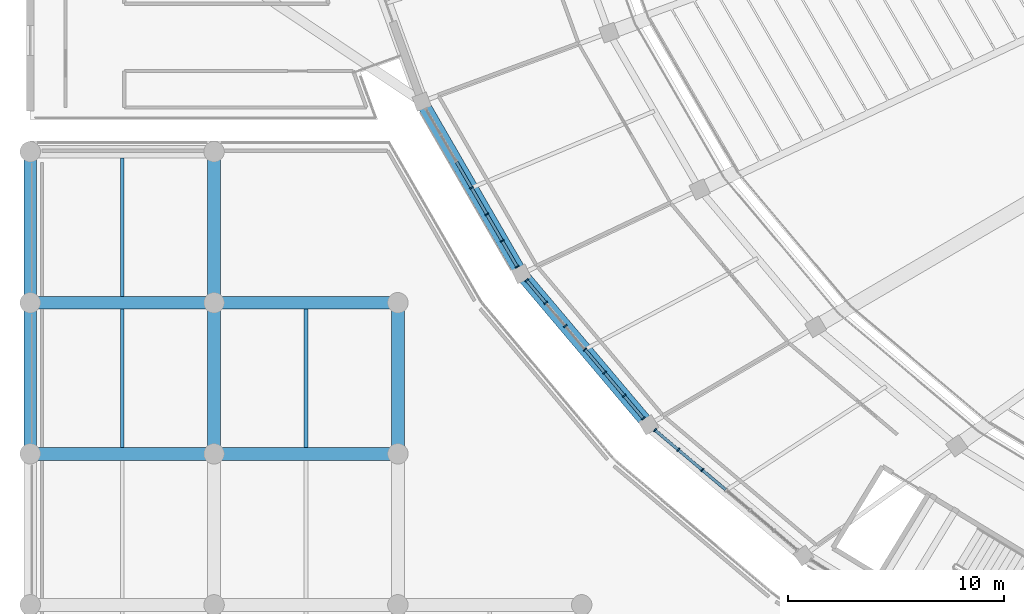
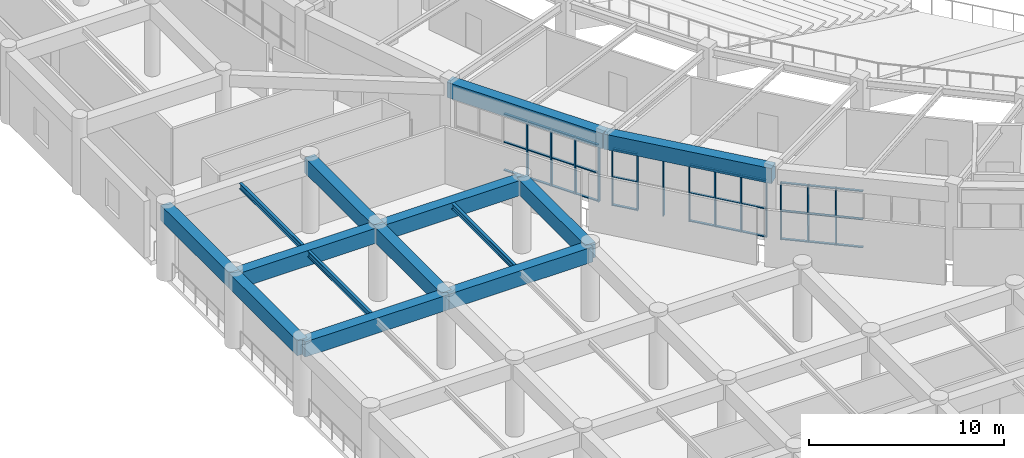
# One storey, part 17 of 137: 47 members, 14 beams, 3 elements without a shape of their own.
"""IFC4 building model written with IfcOpenShell, lengths in metres."""

from ifc_helpers import new_model, si_unit, direction, frame, origin, origin_2d, place, context, subcontext, project, spatial, rectangle, i_section, extrude, material, layer, layer_set, material_profile, profile_set, type_object, element, aggregate, save


model = new_model("IFC4")

# Units and contexts
model_context = context("Model", 3, precision=1e-05, world=origin(), true_north=direction((0.0, 1.0)))
body_context = subcontext(model_context, "Body", "Model", "MODEL_VIEW")
ifc_project = project(units=[si_unit("LENGTHUNIT", "METRE"), si_unit("AREAUNIT", "SQUARE_METRE"), si_unit("VOLUMEUNIT", "CUBIC_METRE"), si_unit("PLANEANGLEUNIT", "RADIAN"), si_unit("MASSUNIT", "GRAM", prefix="KILO")], contexts=[model_context])

# Site, building, storey
site_placement = place(None, origin())
site = spatial("IfcSite", under=ifc_project, at=site_placement, CompositionType="ELEMENT")
building_placement = place(site_placement, origin())
building = spatial("IfcBuilding", under=site, at=building_placement, Name="Mphavela Belvedere Stadium", CompositionType="ELEMENT")
storey_placement = place(building_placement, frame((0.0, 0.0, 19.199951171875)))
storey = spatial("IfcBuildingStorey", under=building, at=storey_placement, Name="L04", CompositionType="ELEMENT", Elevation=19.199951171875)

# Beams
ifc_material_1 = material(Name="Concrete C40/50", Category="concrete")
ifc_material_profile_1 = material_profile(ifc_material_1, rectangle(XDim=0.60009765625, YDim=0.949951171875, at=origin_2d()), Name="RC 600x950")
ifc_profile_set_1 = profile_set([ifc_material_profile_1], Name="Concrete C40/50")
beam_type_1 = type_object("IfcBeamType", Name="BM-ENTABLATURE-950", PredefinedType="SPANDREL", material=ifc_profile_set_1)
beam_1_placement = place(storey_placement, frame((18.143798828125, 51.317626953125, 4.074951171875), z_axis=(0.500565297122, -0.865698783248, 0.0), x_axis=(0.865698783248, 0.500565297122, 0.0)))
element("IfcBeam", 1, at=beam_1_placement, inside=storey, type_object=beam_type_1, Name="Circumferential girder L04 R4-28", PredefinedType="SPANDREL", context=body_context, shape_type="SweptSolid", body=[
    extrude(rectangle(XDim=0.60009765625, YDim=0.949951171875, at=origin_2d()), origin(), (0.0, 0.0, 1.0), 9.217041015625),
])
beam_2_placement = place(storey_placement, frame((22.757568359375, 43.33837890625, 4.074951171875), z_axis=(0.645164552218, -0.764043650952, 0.0), x_axis=(0.764043650952, 0.645164552218, 0.0)))
element("IfcBeam", 2, at=beam_2_placement, inside=storey, type_object=beam_type_1, Name="Circumferential girder L04 R4-29", PredefinedType="SPANDREL", context=body_context, shape_type="SweptSolid", body=[
    extrude(rectangle(XDim=0.60009765625, YDim=0.949951171875, at=origin_2d()), origin(), (0.0, 0.0, 1.0), 9.151123046875),
])
beam_3_placement = place(storey_placement, frame((0.0, 35.0, 4.06494140625), z_axis=(1.0, 0.0, 0.0), x_axis=(0.0, 1.0, 0.0)))
element("IfcBeam", 3, at=beam_3_placement, inside=storey, type_object=beam_type_1, Name="South Axial Triumphal Peristyle Portico entablature beam X L04 1-6", PredefinedType="SPANDREL", context=body_context, shape_type="SweptSolid", body=[
    extrude(rectangle(XDim=0.60009765625, YDim=0.949951171875, at=origin_2d()), origin(), (0.0, 0.0, 1.0), 8.51904296875),
])
beam_4_placement = place(storey_placement, frame((0.0, 35.0, 4.06494140625), z_axis=(0.0, 1.0, 0.0), x_axis=(-1.0, 0.0, 0.0)))
element("IfcBeam", 4, at=beam_4_placement, inside=storey, type_object=beam_type_1, Name="South Axial Triumphal Peristyle Portico entablature beam Y L04 1-6", PredefinedType="SPANDREL", context=body_context, shape_type="SweptSolid", body=[
    extrude(rectangle(XDim=0.60009765625, YDim=0.949951171875, at=origin_2d()), origin(), (0.0, 0.0, 1.0), 7.0),
])
beam_5_placement = place(storey_placement, frame((0.0, 42.0, 4.06494140625), z_axis=(1.0, 0.0, 0.0), x_axis=(0.0, 1.0, 0.0)))
element("IfcBeam", 5, at=beam_5_placement, inside=storey, type_object=beam_type_1, Name="South Axial Triumphal Peristyle Portico entablature beam X L04 1-7", PredefinedType="SPANDREL", context=body_context, shape_type="SweptSolid", body=[
    extrude(rectangle(XDim=0.60009765625, YDim=0.949951171875, at=origin_2d()), origin(), (0.0, 0.0, 1.0), 8.51904296875),
])
beam_6_placement = place(storey_placement, frame((0.0, 42.0, 4.06494140625), z_axis=(0.0, 1.0, 0.0), x_axis=(-1.0, 0.0, 0.0)))
element("IfcBeam", 6, at=beam_6_placement, inside=storey, type_object=beam_type_1, Name="South Axial Triumphal Peristyle Portico entablature beam Y L04 1-7", PredefinedType="SPANDREL", context=body_context, shape_type="SweptSolid", body=[
    extrude(rectangle(XDim=0.60009765625, YDim=0.949951171875, at=origin_2d()), origin(), (0.0, 0.0, 1.0), 7.0),
])
beam_7_placement = place(storey_placement, frame((8.51904296875, 35.0, 4.06494140625), z_axis=(1.0, 0.0, 0.0), x_axis=(0.0, 1.0, 0.0)))
element("IfcBeam", 7, at=beam_7_placement, inside=storey, type_object=beam_type_1, Name="South Axial Triumphal Peristyle Portico entablature beam X L04 2-6", PredefinedType="SPANDREL", context=body_context, shape_type="SweptSolid", body=[
    extrude(rectangle(XDim=0.60009765625, YDim=0.949951171875, at=origin_2d()), origin(), (0.0, 0.0, 1.0), 8.51806640625),
])
beam_8_placement = place(storey_placement, frame((8.51904296875, 35.0, 4.06494140625), z_axis=(0.0, 1.0, 0.0), x_axis=(-1.0, 0.0, 0.0)))
element("IfcBeam", 8, at=beam_8_placement, inside=storey, type_object=beam_type_1, Name="South Axial Triumphal Peristyle Portico entablature beam Y L04 2-6", PredefinedType="SPANDREL", context=body_context, shape_type="SweptSolid", body=[
    extrude(rectangle(XDim=0.60009765625, YDim=0.949951171875, at=origin_2d()), origin(), (0.0, 0.0, 1.0), 7.0),
])
beam_9_placement = place(storey_placement, frame((8.51904296875, 42.0, 4.06494140625), z_axis=(1.0, 0.0, 0.0), x_axis=(0.0, 1.0, 0.0)))
element("IfcBeam", 9, at=beam_9_placement, inside=storey, type_object=beam_type_1, Name="South Axial Triumphal Peristyle Portico entablature beam X L04 2-7", PredefinedType="SPANDREL", context=body_context, shape_type="SweptSolid", body=[
    extrude(rectangle(XDim=0.60009765625, YDim=0.949951171875, at=origin_2d()), origin(), (0.0, 0.0, 1.0), 8.51806640625),
])
for number, where, z_axis, x_axis, name in (
    (10, (8.51904296875, 42.0, 4.06494140625), (0.0, 1.0, 0.0), (-1.0, 0.0, 0.0), "South Axial Triumphal Peristyle Portico entablature beam Y L04 2-7"),
    (11, (17.037109375, 35.0, 4.06494140625), (0.0, 1.0, 0.0), (-1.0, 0.0, 0.0), "South Axial Triumphal Peristyle Portico entablature beam Y L04 3-6"),
):
    element("IfcBeam", number, at=place(storey_placement, frame(where, z_axis=z_axis, x_axis=x_axis)), inside=storey, type_object=beam_type_1, Name=name, PredefinedType="SPANDREL", context=body_context, shape_type="SweptSolid", body=[
        extrude(rectangle(XDim=0.60009765625, YDim=0.949951171875, at=origin_2d()), origin(), (0.0, 0.0, 1.0), 7.0),
    ])
ifc_material_2 = material(Name="Steel S355", Category="steel")
ifc_material_profile_2 = material_profile(ifc_material_2, i_section(OverallWidth=0.169921875, OverallDepth=0.360107421875, WebThickness=0.008056640625, FlangeThickness=0.0126953125, at=origin_2d()), Name="IPE 360")
ifc_profile_set_2 = profile_set([ifc_material_profile_2], Name="Steel S355")
beam_type_2 = type_object("IfcBeamType", Name="BM-JOIST-IPE360", PredefinedType="JOIST", material=ifc_profile_set_2)
for number, where, z_axis, x_axis, name in (
    (12, (4.259521484375, 35.300048828125, 4.360107421875), (0.0, 1.0, 0.0), (-1.0, 0.0, 0.0), "South Axial Triumphal Peristyle Portico secondary joist L04 1-6"),
    (13, (4.259521484375, 42.300048828125, 4.360107421875), (0.0, 1.0, 0.0), (-1.0, 0.0, 0.0), "South Axial Triumphal Peristyle Portico secondary joist L04 1-7"),
    (14, (12.778076171875, 35.300048828125, 4.360107421875), (0.0, 1.0, 0.0), (-1.0, 0.0, 0.0), "South Axial Triumphal Peristyle Portico secondary joist L04 2-6"),
):
    element("IfcBeam", number, at=place(storey_placement, frame(where, z_axis=z_axis, x_axis=x_axis)), inside=storey, type_object=beam_type_2, Name=name, PredefinedType="JOIST", context=body_context, shape_type="SweptSolid", body=[
        extrude(i_section(OverallWidth=0.169921875, OverallDepth=0.360107421875, WebThickness=0.008056640625, FlangeThickness=0.0126953125, at=origin_2d()), origin(), (0.0, 0.0, 1.0), 6.39990234375),
    ])

# Curtain wall, members
ifc_material_3 = material(Name="Anodised bronze unitised curtain wall framing")
ifc_layer_1 = layer(ifc_material_3, 0.18994140625)
ifc_layer_set_1 = layer_set([ifc_layer_1], Name="Anodised bronze unitised curtain wall framing")
curtain_wall_type_1 = type_object("IfcCurtainWallType", Name="CW-UNIT-03", PredefinedType="USERDEFINED", material=ifc_layer_set_1)
curtain_wall_1_placement = place(storey_placement, origin())
curtain_wall_1 = element("IfcCurtainWall", 15, at=curtain_wall_1_placement, inside=storey, type_object=curtain_wall_type_1, Name="Belvedere colonnade curtain wall L04-28", ObjectType="UNITISED CURTAIN WALL", PredefinedType="USERDEFINED")
ifc_material_4 = material(Name="Anodised bronze extruded aluminium", Category="aluminium")
ifc_material_profile_3 = material_profile(ifc_material_4, rectangle(XDim=0.179931640625, YDim=0.06494140625, at=origin_2d()), Name="CW-MUL 180x65")
ifc_profile_set_3 = profile_set([ifc_material_profile_3], Name="Anodised bronze extruded aluminium")
member_type_1 = type_object("IfcMemberType", Name="CWM-180x65", PredefinedType="MULLION", material=ifc_profile_set_3)
member_1_placement = place(storey_placement, frame((20.45068359375, 47.328125, 0.0), z_axis=(0.0, 0.0, 1.0), x_axis=(0.865704159606, 0.500555998906, 0.0)))
member_1 = element("IfcMember", 16, at=member_1_placement, type_object=member_type_1, Name="CW-03 mullion 4", PredefinedType="MULLION", context=body_context, shape_type="SweptSolid", body=[
    extrude(rectangle(XDim=0.179931640625, YDim=0.06494140625, at=origin_2d()), origin(), (0.0, 0.0, 1.0), 3.570068359375),
])
member_2_placement = place(storey_placement, frame((21.16162109375, 46.0986328125, 0.0), z_axis=(0.0, 0.0, 1.0), x_axis=(0.865704159606, 0.500555998906, 0.0)))
member_2 = element("IfcMember", 17, at=member_2_placement, type_object=member_type_1, Name="CW-03 mullion 5", PredefinedType="MULLION", context=body_context, shape_type="SweptSolid", body=[
    extrude(rectangle(XDim=0.179931640625, YDim=0.06494140625, at=origin_2d()), origin(), (0.0, 0.0, 1.0), 3.570068359375),
])
member_3_placement = place(storey_placement, frame((21.872314453125, 44.869140625, 0.0), z_axis=(0.0, 0.0, 1.0), x_axis=(0.865704159606, 0.500555998906, 0.0)))
member_3 = element("IfcMember", 18, at=member_3_placement, type_object=member_type_1, Name="CW-03 mullion 6", PredefinedType="MULLION", context=body_context, shape_type="SweptSolid", body=[
    extrude(rectangle(XDim=0.179931640625, YDim=0.06494140625, at=origin_2d()), origin(), (0.0, 0.0, 1.0), 3.570068359375),
])
member_4_placement = place(storey_placement, frame((22.567138671875, 43.66796875, 0.0), z_axis=(0.0, 0.0, 1.0), x_axis=(0.865704159606, 0.500555998906, 0.0)))
member_4 = element("IfcMember", 19, at=member_4_placement, type_object=member_type_1, Name="CW-03 mullion 7", PredefinedType="MULLION", context=body_context, shape_type="SweptSolid", body=[
    extrude(rectangle(XDim=0.179931640625, YDim=0.06494140625, at=origin_2d()), origin(), (0.0, 0.0, 1.0), 3.570068359375),
])

ifc_material_5 = material(Name="Anodised bronze unitised curtain wall framing")
ifc_layer_2 = layer(ifc_material_5, 0.195068359375)
ifc_layer_set_2 = layer_set([ifc_layer_2], Name="Anodised bronze unitised curtain wall framing")
curtain_wall_type_2 = type_object("IfcCurtainWallType", Name="CW-UNIT-04", PredefinedType="USERDEFINED", material=ifc_layer_set_2)
curtain_wall_2_placement = place(storey_placement, origin())
curtain_wall_2 = element("IfcCurtainWall", 20, at=curtain_wall_2_placement, inside=storey, type_object=curtain_wall_type_2, Name="Belvedere colonnade curtain wall L04-29", ObjectType="UNITISED CURTAIN WALL", PredefinedType="USERDEFINED")
member_5_placement = place(storey_placement, frame((23.0029296875, 43.0478515625, 0.0), z_axis=(0.0, 0.0, 1.0), x_axis=(0.764034579723, 0.645175294774, 0.0)))
member_5 = element("IfcMember", 21, at=member_5_placement, type_object=member_type_1, Name="CW-04 mullion 1", PredefinedType="MULLION", context=body_context, shape_type="SweptSolid", body=[
    extrude(rectangle(XDim=0.179931640625, YDim=0.06494140625, at=origin_2d()), origin(), (0.0, 0.0, 1.0), 3.570068359375),
])
member_6_placement = place(storey_placement, frame((23.89111328125, 41.995849609375, 0.0), z_axis=(0.0, 0.0, 1.0), x_axis=(0.764034579723, 0.645175294774, 0.0)))
member_6 = element("IfcMember", 22, at=member_6_placement, type_object=member_type_1, Name="CW-04 mullion 2", PredefinedType="MULLION", context=body_context, shape_type="SweptSolid", body=[
    extrude(rectangle(XDim=0.179931640625, YDim=0.06494140625, at=origin_2d()), origin(), (0.0, 0.0, 1.0), 3.570068359375),
])
member_7_placement = place(storey_placement, frame((24.80029296875, 40.919189453125, 0.0), z_axis=(0.0, 0.0, 1.0), x_axis=(0.764034579723, 0.645175294774, 0.0)))
member_7 = element("IfcMember", 23, at=member_7_placement, type_object=member_type_1, Name="CW-04 mullion 3", PredefinedType="MULLION", context=body_context, shape_type="SweptSolid", body=[
    extrude(rectangle(XDim=0.179931640625, YDim=0.06494140625, at=origin_2d()), origin(), (0.0, 0.0, 1.0), 3.570068359375),
])
member_8_placement = place(storey_placement, frame((25.709716796875, 39.842529296875, 0.0), z_axis=(0.0, 0.0, 1.0), x_axis=(0.764034579723, 0.645175294774, 0.0)))
member_8 = element("IfcMember", 24, at=member_8_placement, type_object=member_type_1, Name="CW-04 mullion 4", PredefinedType="MULLION", context=body_context, shape_type="SweptSolid", body=[
    extrude(rectangle(XDim=0.179931640625, YDim=0.06494140625, at=origin_2d()), origin(), (0.0, 0.0, 1.0), 3.570068359375),
])
member_9_placement = place(storey_placement, frame((26.618896484375, 38.765869140625, 0.0), z_axis=(0.0, 0.0, 1.0), x_axis=(0.764034579723, 0.645175294774, 0.0)))
member_9 = element("IfcMember", 25, at=member_9_placement, type_object=member_type_1, Name="CW-04 mullion 5", PredefinedType="MULLION", context=body_context, shape_type="SweptSolid", body=[
    extrude(rectangle(XDim=0.179931640625, YDim=0.06494140625, at=origin_2d()), origin(), (0.0, 0.0, 1.0), 3.570068359375),
])
member_10_placement = place(storey_placement, frame((27.528076171875, 37.689208984375, 0.0), z_axis=(0.0, 0.0, 1.0), x_axis=(0.764034579723, 0.645175294774, 0.0)))
member_10 = element("IfcMember", 26, at=member_10_placement, type_object=member_type_1, Name="CW-04 mullion 6", PredefinedType="MULLION", context=body_context, shape_type="SweptSolid", body=[
    extrude(rectangle(XDim=0.179931640625, YDim=0.06494140625, at=origin_2d()), origin(), (0.0, 0.0, 1.0), 3.570068359375),
])
member_11_placement = place(storey_placement, frame((28.416259765625, 36.63720703125, 0.0), z_axis=(0.0, 0.0, 1.0), x_axis=(0.764034579723, 0.645175294774, 0.0)))
member_11 = element("IfcMember", 27, at=member_11_placement, type_object=member_type_1, Name="CW-04 mullion 7", PredefinedType="MULLION", context=body_context, shape_type="SweptSolid", body=[
    extrude(rectangle(XDim=0.179931640625, YDim=0.06494140625, at=origin_2d()), origin(), (0.0, 0.0, 1.0), 3.570068359375),
])

ifc_material_6 = material(Name="Anodised bronze unitised curtain wall framing")
ifc_layer_3 = layer(ifc_material_6, 0.199951171875)
ifc_layer_set_3 = layer_set([ifc_layer_3], Name="Anodised bronze unitised curtain wall framing")
curtain_wall_type_3 = type_object("IfcCurtainWallType", Name="CW-UNIT-05", PredefinedType="USERDEFINED", material=ifc_layer_set_3)
curtain_wall_3_placement = place(storey_placement, origin())
curtain_wall_3 = element("IfcCurtainWall", 28, at=curtain_wall_3_placement, inside=storey, type_object=curtain_wall_type_3, Name="Belvedere colonnade curtain wall L04-30", ObjectType="UNITISED CURTAIN WALL", PredefinedType="USERDEFINED")
member_12_placement = place(storey_placement, frame((28.95263671875, 36.10107421875, 0.0), z_axis=(0.0, 0.0, 1.0), x_axis=(0.644916038089, 0.764253429051, 0.0)))
member_12 = element("IfcMember", 29, at=member_12_placement, type_object=member_type_1, Name="CW-05 mullion 1", PredefinedType="MULLION", context=body_context, shape_type="SweptSolid", body=[
    extrude(rectangle(XDim=0.179931640625, YDim=0.06494140625, at=origin_2d()), origin(), (0.0, 0.0, 1.0), 3.570068359375),
])
member_13_placement = place(storey_placement, frame((30.0361328125, 35.186767578125, 0.0), z_axis=(0.0, 0.0, 1.0), x_axis=(0.644916038089, 0.764253429051, 0.0)))
member_13 = element("IfcMember", 30, at=member_13_placement, type_object=member_type_1, Name="CW-05 mullion 2", PredefinedType="MULLION", context=body_context, shape_type="SweptSolid", body=[
    extrude(rectangle(XDim=0.179931640625, YDim=0.06494140625, at=origin_2d()), origin(), (0.0, 0.0, 1.0), 3.570068359375),
])
member_14_placement = place(storey_placement, frame((31.14453125, 34.25146484375, 0.0), z_axis=(0.0, 0.0, 1.0), x_axis=(0.644916038089, 0.764253429051, 0.0)))
member_14 = element("IfcMember", 31, at=member_14_placement, type_object=member_type_1, Name="CW-05 mullion 3", PredefinedType="MULLION", context=body_context, shape_type="SweptSolid", body=[
    extrude(rectangle(XDim=0.179931640625, YDim=0.06494140625, at=origin_2d()), origin(), (0.0, 0.0, 1.0), 3.570068359375),
])

# Member
ifc_material_7 = material(Name="Anodised bronze extruded aluminium", Category="aluminium")
ifc_material_profile_4 = material_profile(ifc_material_7, rectangle(XDim=0.139892578125, YDim=0.06005859375, at=origin_2d()), Name="CW-TRN 140x60")
ifc_profile_set_4 = profile_set([ifc_material_profile_4], Name="Anodised bronze extruded aluminium")
member_type_2 = type_object("IfcMemberType", Name="CWT-140x60", PredefinedType="USERDEFINED", material=ifc_profile_set_4)
member_15_placement = place(storey_placement, frame((19.756103515625, 48.529296875, 0.030029296875), z_axis=(0.50051771898, -0.865726292189, 0.0), x_axis=(0.865726292189, 0.50051771898, 0.0)))
member_15 = element("IfcMember", 32, at=member_15_placement, type_object=member_type_2, Name="CW-03 transom 3.1", ObjectType="TRANSOM", PredefinedType="USERDEFINED", context=body_context, shape_type="SweptSolid", body=[
    extrude(rectangle(XDim=0.139892578125, YDim=0.06005859375, at=origin_2d()), origin(), (0.0, 0.0, 1.0), 1.35498046875),
])

member_16_placement = place(storey_placement, frame((19.756103515625, 48.529296875, 1.78515625), z_axis=(0.50051771898, -0.865726292189, 0.0), x_axis=(0.865726292189, 0.50051771898, 0.0)))
member_16 = element("IfcMember", 33, at=member_16_placement, type_object=member_type_2, Name="CW-03 transom 3.2", ObjectType="TRANSOM", PredefinedType="USERDEFINED", context=body_context, shape_type="SweptSolid", body=[
    extrude(rectangle(XDim=0.139892578125, YDim=0.06005859375, at=origin_2d()), origin(), (0.0, 0.0, 1.0), 1.35498046875),
])

member_17_placement = place(storey_placement, frame((19.756103515625, 48.529296875, 3.5400390625), z_axis=(0.50051771898, -0.865726292189, 0.0), x_axis=(0.865726292189, 0.50051771898, 0.0)))
member_17 = element("IfcMember", 34, at=member_17_placement, type_object=member_type_2, Name="CW-03 transom 3.3", ObjectType="TRANSOM", PredefinedType="USERDEFINED", context=body_context, shape_type="SweptSolid", body=[
    extrude(rectangle(XDim=0.139892578125, YDim=0.06005859375, at=origin_2d()), origin(), (0.0, 0.0, 1.0), 1.35498046875),
])

member_18_placement = place(storey_placement, frame((20.467041015625, 47.300048828125, 0.030029296875), z_axis=(0.500439658564, -0.865771417948, 0.0), x_axis=(0.865771417948, 0.500439658564, 0.0)))
member_18 = element("IfcMember", 35, at=member_18_placement, type_object=member_type_2, Name="CW-03 transom 4.1", ObjectType="TRANSOM", PredefinedType="USERDEFINED", context=body_context, shape_type="SweptSolid", body=[
    extrude(rectangle(XDim=0.139892578125, YDim=0.06005859375, at=origin_2d()), origin(), (0.0, 0.0, 1.0), 1.355224609375),
])

member_19_placement = place(storey_placement, frame((20.467041015625, 47.300048828125, 1.78515625), z_axis=(0.500439658564, -0.865771417948, 0.0), x_axis=(0.865771417948, 0.500439658564, 0.0)))
member_19 = element("IfcMember", 36, at=member_19_placement, type_object=member_type_2, Name="CW-03 transom 4.2", ObjectType="TRANSOM", PredefinedType="USERDEFINED", context=body_context, shape_type="SweptSolid", body=[
    extrude(rectangle(XDim=0.139892578125, YDim=0.06005859375, at=origin_2d()), origin(), (0.0, 0.0, 1.0), 1.355224609375),
])

member_20_placement = place(storey_placement, frame((20.467041015625, 47.300048828125, 3.5400390625), z_axis=(0.500439658564, -0.865771417948, 0.0), x_axis=(0.865771417948, 0.500439658564, 0.0)))
member_20 = element("IfcMember", 37, at=member_20_placement, type_object=member_type_2, Name="CW-03 transom 4.3", ObjectType="TRANSOM", PredefinedType="USERDEFINED", context=body_context, shape_type="SweptSolid", body=[
    extrude(rectangle(XDim=0.139892578125, YDim=0.06005859375, at=origin_2d()), origin(), (0.0, 0.0, 1.0), 1.355224609375),
])

member_21_placement = place(storey_placement, frame((21.177734375, 46.070556640625, 0.030029296875), z_axis=(0.500652736362, -0.865648218143, 0.0), x_axis=(0.865648218143, 0.500652736362, 0.0)))
member_21 = element("IfcMember", 38, at=member_21_placement, type_object=member_type_2, Name="CW-03 transom 5.1", ObjectType="TRANSOM", PredefinedType="USERDEFINED", context=body_context, shape_type="SweptSolid", body=[
    extrude(rectangle(XDim=0.139892578125, YDim=0.06005859375, at=origin_2d()), origin(), (0.0, 0.0, 1.0), 1.355224609375),
])

member_22_placement = place(storey_placement, frame((21.177734375, 46.070556640625, 1.78515625), z_axis=(0.500652736362, -0.865648218143, 0.0), x_axis=(0.865648218143, 0.500652736362, 0.0)))
member_22 = element("IfcMember", 39, at=member_22_placement, type_object=member_type_2, Name="CW-03 transom 5.2", ObjectType="TRANSOM", PredefinedType="USERDEFINED", context=body_context, shape_type="SweptSolid", body=[
    extrude(rectangle(XDim=0.139892578125, YDim=0.06005859375, at=origin_2d()), origin(), (0.0, 0.0, 1.0), 1.355224609375),
])

member_23_placement = place(storey_placement, frame((21.177734375, 46.070556640625, 3.5400390625), z_axis=(0.500652736362, -0.865648218143, 0.0), x_axis=(0.865648218143, 0.500652736362, 0.0)))
member_23 = element("IfcMember", 40, at=member_23_placement, type_object=member_type_2, Name="CW-03 transom 5.3", ObjectType="TRANSOM", PredefinedType="USERDEFINED", context=body_context, shape_type="SweptSolid", body=[
    extrude(rectangle(XDim=0.139892578125, YDim=0.06005859375, at=origin_2d()), origin(), (0.0, 0.0, 1.0), 1.355224609375),
])

member_24_placement = place(storey_placement, frame((21.888671875, 44.841064453125, 0.030029296875), z_axis=(0.500585088296, -0.865687339272, 0.0), x_axis=(0.865687339272, 0.500585088296, 0.0)))
member_24 = element("IfcMember", 41, at=member_24_placement, type_object=member_type_2, Name="CW-03 transom 6.1", ObjectType="TRANSOM", PredefinedType="USERDEFINED", context=body_context, shape_type="SweptSolid", body=[
    extrude(rectangle(XDim=0.139892578125, YDim=0.06005859375, at=origin_2d()), origin(), (0.0, 0.0, 1.0), 1.32275390625),
])

member_25_placement = place(storey_placement, frame((21.888671875, 44.841064453125, 1.78515625), z_axis=(0.500585088296, -0.865687339272, 0.0), x_axis=(0.865687339272, 0.500585088296, 0.0)))
member_25 = element("IfcMember", 42, at=member_25_placement, type_object=member_type_2, Name="CW-03 transom 6.2", ObjectType="TRANSOM", PredefinedType="USERDEFINED", context=body_context, shape_type="SweptSolid", body=[
    extrude(rectangle(XDim=0.139892578125, YDim=0.06005859375, at=origin_2d()), origin(), (0.0, 0.0, 1.0), 1.32275390625),
])

member_26_placement = place(storey_placement, frame((21.888671875, 44.841064453125, 3.5400390625), z_axis=(0.500585088296, -0.865687339272, 0.0), x_axis=(0.865687339272, 0.500585088296, 0.0)))
member_26 = element("IfcMember", 43, at=member_26_placement, type_object=member_type_2, Name="CW-03 transom 6.3", ObjectType="TRANSOM", PredefinedType="USERDEFINED", context=body_context, shape_type="SweptSolid", body=[
    extrude(rectangle(XDim=0.139892578125, YDim=0.06005859375, at=origin_2d()), origin(), (0.0, 0.0, 1.0), 1.32275390625),
])

aggregate(curtain_wall_1, [member_1, member_2, member_3, member_4, member_15, member_16, member_17, member_18, member_19, member_20, member_21, member_22, member_23, member_24, member_25, member_26])

member_27_placement = place(storey_placement, frame((23.02392578125, 43.02294921875, 0.030029296875), z_axis=(0.645132526384, -0.764070692673, 0.0), x_axis=(0.764070692673, 0.645132526384, 0.0)))
member_27 = element("IfcMember", 44, at=member_27_placement, type_object=member_type_2, Name="CW-04 transom 1.1", ObjectType="TRANSOM", PredefinedType="USERDEFINED", context=body_context, shape_type="SweptSolid", body=[
    extrude(rectangle(XDim=0.139892578125, YDim=0.06005859375, at=origin_2d()), origin(), (0.0, 0.0, 1.0), 1.311767578125),
])

member_28_placement = place(storey_placement, frame((23.02392578125, 43.02294921875, 1.78515625), z_axis=(0.645132526384, -0.764070692673, 0.0), x_axis=(0.764070692673, 0.645132526384, 0.0)))
member_28 = element("IfcMember", 45, at=member_28_placement, type_object=member_type_2, Name="CW-04 transom 1.2", ObjectType="TRANSOM", PredefinedType="USERDEFINED", context=body_context, shape_type="SweptSolid", body=[
    extrude(rectangle(XDim=0.139892578125, YDim=0.06005859375, at=origin_2d()), origin(), (0.0, 0.0, 1.0), 1.311767578125),
])

member_29_placement = place(storey_placement, frame((23.02392578125, 43.02294921875, 3.5400390625), z_axis=(0.645132526384, -0.764070692673, 0.0), x_axis=(0.764070692673, 0.645132526384, 0.0)))
member_29 = element("IfcMember", 46, at=member_29_placement, type_object=member_type_2, Name="CW-04 transom 1.3", ObjectType="TRANSOM", PredefinedType="USERDEFINED", context=body_context, shape_type="SweptSolid", body=[
    extrude(rectangle(XDim=0.139892578125, YDim=0.06005859375, at=origin_2d()), origin(), (0.0, 0.0, 1.0), 1.311767578125),
])

member_30_placement = place(storey_placement, frame((25.73046875, 39.817626953125, 0.030029296875), z_axis=(0.645225575493, -0.763992118238, 0.0), x_axis=(0.763992118238, 0.645225575493, 0.0)))
member_30 = element("IfcMember", 47, at=member_30_placement, type_object=member_type_2, Name="CW-04 transom 4.1", ObjectType="TRANSOM", PredefinedType="USERDEFINED", context=body_context, shape_type="SweptSolid", body=[
    extrude(rectangle(XDim=0.139892578125, YDim=0.06005859375, at=origin_2d()), origin(), (0.0, 0.0, 1.0), 1.344482421875),
])

member_31_placement = place(storey_placement, frame((25.73046875, 39.817626953125, 1.78515625), z_axis=(0.645225575493, -0.763992118238, 0.0), x_axis=(0.763992118238, 0.645225575493, 0.0)))
member_31 = element("IfcMember", 48, at=member_31_placement, type_object=member_type_2, Name="CW-04 transom 4.2", ObjectType="TRANSOM", PredefinedType="USERDEFINED", context=body_context, shape_type="SweptSolid", body=[
    extrude(rectangle(XDim=0.139892578125, YDim=0.06005859375, at=origin_2d()), origin(), (0.0, 0.0, 1.0), 1.344482421875),
])

member_32_placement = place(storey_placement, frame((25.73046875, 39.817626953125, 3.5400390625), z_axis=(0.645225575493, -0.763992118238, 0.0), x_axis=(0.763992118238, 0.645225575493, 0.0)))
member_32 = element("IfcMember", 49, at=member_32_placement, type_object=member_type_2, Name="CW-04 transom 4.3", ObjectType="TRANSOM", PredefinedType="USERDEFINED", context=body_context, shape_type="SweptSolid", body=[
    extrude(rectangle(XDim=0.139892578125, YDim=0.06005859375, at=origin_2d()), origin(), (0.0, 0.0, 1.0), 1.344482421875),
])

member_33_placement = place(storey_placement, frame((26.6396484375, 38.740966796875, 0.030029296875), z_axis=(0.645225575493, -0.763992118238, 0.0), x_axis=(0.763992118238, 0.645225575493, 0.0)))
member_33 = element("IfcMember", 50, at=member_33_placement, type_object=member_type_2, Name="CW-04 transom 5.1", ObjectType="TRANSOM", PredefinedType="USERDEFINED", context=body_context, shape_type="SweptSolid", body=[
    extrude(rectangle(XDim=0.139892578125, YDim=0.06005859375, at=origin_2d()), origin(), (0.0, 0.0, 1.0), 1.344482421875),
])

member_34_placement = place(storey_placement, frame((26.6396484375, 38.740966796875, 1.78515625), z_axis=(0.645225575493, -0.763992118238, 0.0), x_axis=(0.763992118238, 0.645225575493, 0.0)))
member_34 = element("IfcMember", 51, at=member_34_placement, type_object=member_type_2, Name="CW-04 transom 5.2", ObjectType="TRANSOM", PredefinedType="USERDEFINED", context=body_context, shape_type="SweptSolid", body=[
    extrude(rectangle(XDim=0.139892578125, YDim=0.06005859375, at=origin_2d()), origin(), (0.0, 0.0, 1.0), 1.344482421875),
])

member_35_placement = place(storey_placement, frame((26.6396484375, 38.740966796875, 3.5400390625), z_axis=(0.645225575493, -0.763992118238, 0.0), x_axis=(0.763992118238, 0.645225575493, 0.0)))
member_35 = element("IfcMember", 52, at=member_35_placement, type_object=member_type_2, Name="CW-04 transom 5.3", ObjectType="TRANSOM", PredefinedType="USERDEFINED", context=body_context, shape_type="SweptSolid", body=[
    extrude(rectangle(XDim=0.139892578125, YDim=0.06005859375, at=origin_2d()), origin(), (0.0, 0.0, 1.0), 1.344482421875),
])

member_36_placement = place(storey_placement, frame((27.549072265625, 37.664306640625, 0.030029296875), z_axis=(0.645132526384, -0.764070692673, 0.0), x_axis=(0.764070692673, 0.645132526384, 0.0)))
member_36 = element("IfcMember", 53, at=member_36_placement, type_object=member_type_2, Name="CW-04 transom 6.1", ObjectType="TRANSOM", PredefinedType="USERDEFINED", context=body_context, shape_type="SweptSolid", body=[
    extrude(rectangle(XDim=0.139892578125, YDim=0.06005859375, at=origin_2d()), origin(), (0.0, 0.0, 1.0), 1.311767578125),
])

member_37_placement = place(storey_placement, frame((27.549072265625, 37.664306640625, 1.78515625), z_axis=(0.645132526384, -0.764070692673, 0.0), x_axis=(0.764070692673, 0.645132526384, 0.0)))
member_37 = element("IfcMember", 54, at=member_37_placement, type_object=member_type_2, Name="CW-04 transom 6.2", ObjectType="TRANSOM", PredefinedType="USERDEFINED", context=body_context, shape_type="SweptSolid", body=[
    extrude(rectangle(XDim=0.139892578125, YDim=0.06005859375, at=origin_2d()), origin(), (0.0, 0.0, 1.0), 1.311767578125),
])

member_38_placement = place(storey_placement, frame((27.549072265625, 37.664306640625, 3.5400390625), z_axis=(0.645132526384, -0.764070692673, 0.0), x_axis=(0.764070692673, 0.645132526384, 0.0)))
member_38 = element("IfcMember", 55, at=member_38_placement, type_object=member_type_2, Name="CW-04 transom 6.3", ObjectType="TRANSOM", PredefinedType="USERDEFINED", context=body_context, shape_type="SweptSolid", body=[
    extrude(rectangle(XDim=0.139892578125, YDim=0.06005859375, at=origin_2d()), origin(), (0.0, 0.0, 1.0), 1.311767578125),
])

aggregate(curtain_wall_2, [member_5, member_6, member_7, member_8, member_9, member_10, member_11, member_27, member_28, member_29, member_30, member_31, member_32, member_33, member_34, member_35, member_36, member_37, member_38])

member_39_placement = place(storey_placement, frame((28.977294921875, 36.080078125, 0.030029296875), z_axis=(0.764316500448, -0.644841288336, 0.0), x_axis=(0.644841288336, 0.764316500448, 0.0)))
member_39 = element("IfcMember", 56, at=member_39_placement, type_object=member_type_2, Name="CW-05 transom 1.1", ObjectType="TRANSOM", PredefinedType="USERDEFINED", context=body_context, shape_type="SweptSolid", body=[
    extrude(rectangle(XDim=0.139892578125, YDim=0.06005859375, at=origin_2d()), origin(), (0.0, 0.0, 1.0), 1.352783203125),
])

member_40_placement = place(storey_placement, frame((28.977294921875, 36.080078125, 1.78515625), z_axis=(0.764316500448, -0.644841288336, 0.0), x_axis=(0.644841288336, 0.764316500448, 0.0)))
member_40 = element("IfcMember", 57, at=member_40_placement, type_object=member_type_2, Name="CW-05 transom 1.2", ObjectType="TRANSOM", PredefinedType="USERDEFINED", context=body_context, shape_type="SweptSolid", body=[
    extrude(rectangle(XDim=0.139892578125, YDim=0.06005859375, at=origin_2d()), origin(), (0.0, 0.0, 1.0), 1.352783203125),
])

member_41_placement = place(storey_placement, frame((28.977294921875, 36.080078125, 3.5400390625), z_axis=(0.764316500448, -0.644841288336, 0.0), x_axis=(0.644841288336, 0.764316500448, 0.0)))
member_41 = element("IfcMember", 58, at=member_41_placement, type_object=member_type_2, Name="CW-05 transom 1.3", ObjectType="TRANSOM", PredefinedType="USERDEFINED", context=body_context, shape_type="SweptSolid", body=[
    extrude(rectangle(XDim=0.139892578125, YDim=0.06005859375, at=origin_2d()), origin(), (0.0, 0.0, 1.0), 1.352783203125),
])

member_42_placement = place(storey_placement, frame((30.06103515625, 35.165771484375, 0.030029296875), z_axis=(0.764234485314, -0.644938486569, 0.0), x_axis=(0.644938486569, 0.764234485314, 0.0)))
member_42 = element("IfcMember", 59, at=member_42_placement, type_object=member_type_2, Name="CW-05 transom 2.1", ObjectType="TRANSOM", PredefinedType="USERDEFINED", context=body_context, shape_type="SweptSolid", body=[
    extrude(rectangle(XDim=0.139892578125, YDim=0.06005859375, at=origin_2d()), origin(), (0.0, 0.0, 1.0), 1.385498046875),
])

member_43_placement = place(storey_placement, frame((30.06103515625, 35.165771484375, 1.78515625), z_axis=(0.764234485314, -0.644938486569, 0.0), x_axis=(0.644938486569, 0.764234485314, 0.0)))
member_43 = element("IfcMember", 60, at=member_43_placement, type_object=member_type_2, Name="CW-05 transom 2.2", ObjectType="TRANSOM", PredefinedType="USERDEFINED", context=body_context, shape_type="SweptSolid", body=[
    extrude(rectangle(XDim=0.139892578125, YDim=0.06005859375, at=origin_2d()), origin(), (0.0, 0.0, 1.0), 1.385498046875),
])

member_44_placement = place(storey_placement, frame((30.06103515625, 35.165771484375, 3.5400390625), z_axis=(0.764234485314, -0.644938486569, 0.0), x_axis=(0.644938486569, 0.764234485314, 0.0)))
member_44 = element("IfcMember", 61, at=member_44_placement, type_object=member_type_2, Name="CW-05 transom 2.3", ObjectType="TRANSOM", PredefinedType="USERDEFINED", context=body_context, shape_type="SweptSolid", body=[
    extrude(rectangle(XDim=0.139892578125, YDim=0.06005859375, at=origin_2d()), origin(), (0.0, 0.0, 1.0), 1.385498046875),
])

member_45_placement = place(storey_placement, frame((31.16943359375, 34.23046875, 0.030029296875), z_axis=(0.764234485314, -0.644938486569, 0.0), x_axis=(0.644938486569, 0.764234485314, 0.0)))
member_45 = element("IfcMember", 62, at=member_45_placement, type_object=member_type_2, Name="CW-05 transom 3.1", ObjectType="TRANSOM", PredefinedType="USERDEFINED", context=body_context, shape_type="SweptSolid", body=[
    extrude(rectangle(XDim=0.139892578125, YDim=0.06005859375, at=origin_2d()), origin(), (0.0, 0.0, 1.0), 1.385498046875),
])

member_46_placement = place(storey_placement, frame((31.16943359375, 34.23046875, 1.78515625), z_axis=(0.764234485314, -0.644938486569, 0.0), x_axis=(0.644938486569, 0.764234485314, 0.0)))
member_46 = element("IfcMember", 63, at=member_46_placement, type_object=member_type_2, Name="CW-05 transom 3.2", ObjectType="TRANSOM", PredefinedType="USERDEFINED", context=body_context, shape_type="SweptSolid", body=[
    extrude(rectangle(XDim=0.139892578125, YDim=0.06005859375, at=origin_2d()), origin(), (0.0, 0.0, 1.0), 1.385498046875),
])

member_47_placement = place(storey_placement, frame((31.16943359375, 34.23046875, 3.5400390625), z_axis=(0.764234485314, -0.644938486569, 0.0), x_axis=(0.644938486569, 0.764234485314, 0.0)))
member_47 = element("IfcMember", 64, at=member_47_placement, type_object=member_type_2, Name="CW-05 transom 3.3", ObjectType="TRANSOM", PredefinedType="USERDEFINED", context=body_context, shape_type="SweptSolid", body=[
    extrude(rectangle(XDim=0.139892578125, YDim=0.06005859375, at=origin_2d()), origin(), (0.0, 0.0, 1.0), 1.385498046875),
])

aggregate(curtain_wall_3, [member_12, member_13, member_14, member_39, member_40, member_41, member_42, member_43, member_44, member_45, member_46, member_47])

save(model, "model.ifc")
